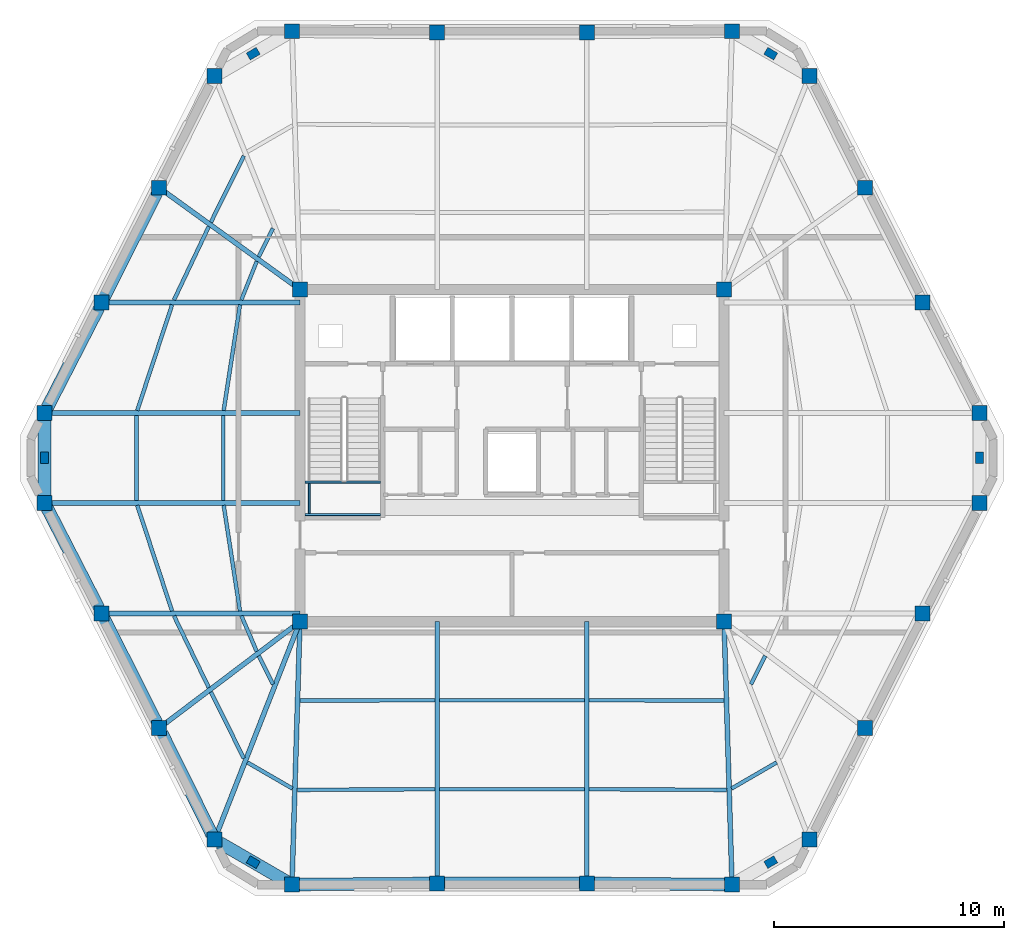
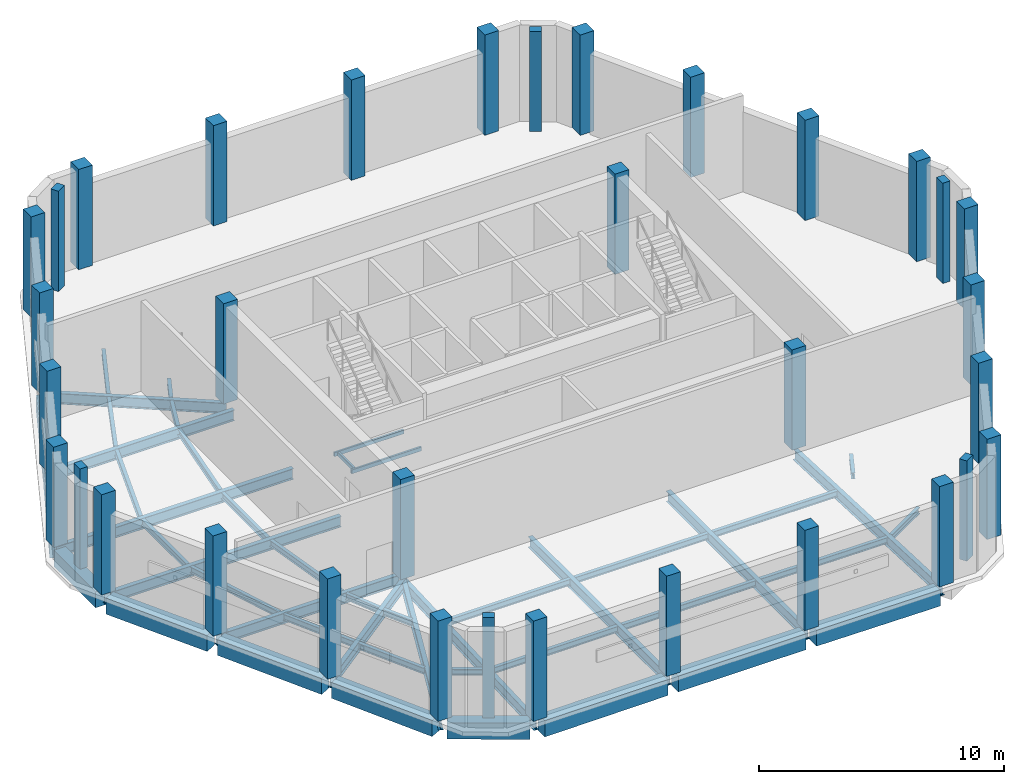
# One storey, part 1 of 8: 47 beams, 34 columns.
"""IFC4 building model written with IfcOpenShell, lengths in metres."""

from ifc_helpers import new_model, si_unit, direction, frame, origin, origin_2d, place, context, subcontext, project, spatial, rectangle, hollow_rectangle, i_section, extrude, material, material_profile, profile_set, type_object, element, save


model = new_model("IFC4")

# Units and contexts
model_context = context("Model", 3, precision=1e-05, world=origin(), true_north=direction((0.0, 1.0)))
body_context = subcontext(model_context, "Body", "Model", "MODEL_VIEW")
ifc_project = project(units=[si_unit("LENGTHUNIT", "METRE"), si_unit("AREAUNIT", "SQUARE_METRE"), si_unit("VOLUMEUNIT", "CUBIC_METRE"), si_unit("PLANEANGLEUNIT", "RADIAN"), si_unit("MASSUNIT", "GRAM", prefix="KILO")], contexts=[model_context])

# Site, building, storey
site_placement = place(None, origin())
site = spatial("IfcSite", under=ifc_project, at=site_placement, CompositionType="ELEMENT")
building_placement = place(site_placement, origin())
building = spatial("IfcBuilding", under=site, at=building_placement, Name="Cinnabar Lancet Tower", CompositionType="ELEMENT")
storey_placement = place(building_placement, frame((0.0, 0.0, 295.5)))
storey = spatial("IfcBuildingStorey", under=building, at=storey_placement, Name="L78", CompositionType="ELEMENT", Elevation=295.5)

# Columns
ifc_material_1 = material(Name="Concrete C50/60", Category="concrete")
ifc_material_profile_1 = material_profile(ifc_material_1, rectangle(XDim=0.64990234375, YDim=0.64990234375, at=origin_2d()), Name="RC-COL 650x650")
ifc_profile_set_1 = profile_set([ifc_material_profile_1], Name="Concrete C50/60")
column_type_1 = type_object("IfcColumnType", Name="STR-COL-CORE-650B", PredefinedType="COLUMN", material=ifc_profile_set_1)
for number, where, z_axis, x_axis, name in (
    (1, (23.175048828125, 18.675048828125, 0.0), (0.0, 0.0, 1.0), (1.0, 0.0, 0.0), "L78 Core Corner Column SW"),
    (2, (41.625, 18.675048828125, 0.0), (0.0, 0.0, 1.0), (1.0, 0.0, 0.0), "L78 Core Corner Column SE"),
    (3, (41.625, 33.125, 0.0), (0.0, 0.0, 1.0), (1.0, 0.0, 0.0), "L78 Core Corner Column NE"),
    (4, (23.175048828125, 33.125, 0.0), (0.0, 0.0, 1.0), (1.0, 0.0, 0.0), "L78 Core Corner Column NW"),
):
    element("IfcColumn", number, at=place(storey_placement, frame(where, z_axis=z_axis, x_axis=x_axis)), inside=storey, type_object=column_type_1, Name=name, PredefinedType="COLUMN", context=body_context, shape_type="SweptSolid", body=[
        extrude(rectangle(XDim=0.64990234375, YDim=0.64990234375, at=origin_2d()), origin(), (0.0, 0.0, 1.0), 5.0),
    ])
ifc_material_2 = material(Name="Concrete C60/75", Category="concrete")
ifc_material_profile_2 = material_profile(ifc_material_2, rectangle(XDim=0.5, YDim=0.35009765625, at=origin_2d()), Name="RC-PIL 500x350")
ifc_profile_set_2 = profile_set([ifc_material_profile_2], Name="Concrete C60/75")
column_type_2 = type_object("IfcColumnType", Name="STR-COL-PIL-500", PredefinedType="PILASTER", material=ifc_profile_set_2)
for number, where, z_axis, x_axis, name in (
    (5, (21.14306640625, 8.215087890625, 0.0), (0.0, 0.0, 1.0), (0.865256437757, -0.501329529272, 0.0), "L78 Chamfered Corner Pilaster 1"),
    (6, (43.656982421875, 8.215087890625, 0.0), (0.0, 0.0, 1.0), (0.865256437757, 0.501329529272, 0.0), "L78 Chamfered Corner Pilaster 2"),
    (7, (52.737060546875, 25.800048828125, 0.0), (0.0, 0.0, 1.0), (0.0, 1.0, 0.0), "L78 Chamfered Corner Pilaster 3"),
    (8, (43.656982421875, 43.385009765625, 0.0), (0.0, 0.0, 1.0), (-0.865256437757, 0.501329529272, 0.0), "L78 Chamfered Corner Pilaster 4"),
    (9, (21.14306640625, 43.385009765625, 0.0), (0.0, 0.0, 1.0), (-0.865256437757, -0.501329529272, 0.0), "L78 Chamfered Corner Pilaster 5"),
    (10, (12.06298828125, 25.800048828125, 0.0), (0.0, 0.0, 1.0), (0.0, -1.0, 0.0), "L78 Chamfered Corner Pilaster 6"),
):
    element("IfcColumn", number, at=place(storey_placement, frame(where, z_axis=z_axis, x_axis=x_axis)), inside=storey, type_object=column_type_2, Name=name, PredefinedType="PILASTER", context=body_context, shape_type="SweptSolid", body=[
        extrude(rectangle(XDim=0.5, YDim=0.35009765625, at=origin_2d()), origin(), (0.0, 0.0, 1.0), 5.0),
    ])
ifc_material_3 = material(Name="Concrete C50/60", Category="concrete")
ifc_material_profile_3 = material_profile(ifc_material_3, rectangle(XDim=0.64990234375, YDim=0.64990234375, at=origin_2d()), Name="RC-COL 650x650")
ifc_profile_set_3 = profile_set([ifc_material_profile_3], Name="Concrete C50/60")
column_type_3 = type_object("IfcColumnType", Name="STR-COL-TUBE-650", PredefinedType="COLUMN", material=ifc_profile_set_3)
for number, where, z_axis, x_axis, name in (
    (11, (22.827880859375, 7.239013671875, 0.0), (0.0, 0.0, 1.0), (1.0, 0.0, 0.0), "L78 Perimeter Tube Column 1"),
    (12, (29.14599609375, 7.2919921875, 0.0), (0.0, 0.0, 1.0), (1.0, 0.0, 0.0), "L78 Perimeter Tube Column 2"),
    (13, (35.654052734375, 7.2919921875, 0.0), (0.0, 0.0, 1.0), (1.0, 0.0, 0.0), "L78 Perimeter Tube Column 3"),
    (14, (41.971923828125, 7.239013671875, 0.0), (0.0, 0.0, 1.0), (1.0, 0.0, 0.0), "L78 Perimeter Tube Column 4"),
    (15, (45.341064453125, 9.19091796875, 0.0), (0.0, 0.0, 1.0), (1.0, 0.0, 0.0), "L78 Perimeter Tube Column 5"),
    (16, (47.7490234375, 14.0458984375, 0.0), (0.0, 0.0, 1.0), (1.0, 0.0, 0.0), "L78 Perimeter Tube Column 6"),
    (17, (50.263916015625, 19.032958984375, 0.0), (0.0, 0.0, 1.0), (1.0, 0.0, 0.0), "L78 Perimeter Tube Column 7"),
    (18, (52.737060546875, 23.844970703125, 0.0), (0.0, 0.0, 1.0), (1.0, 0.0, 0.0), "L78 Perimeter Tube Column 8"),
    (19, (52.737060546875, 27.7548828125, 0.0), (0.0, 0.0, 1.0), (1.0, 0.0, 0.0), "L78 Perimeter Tube Column 9"),
    (20, (50.263916015625, 32.56689453125, 0.0), (0.0, 0.0, 1.0), (1.0, 0.0, 0.0), "L78 Perimeter Tube Column 10"),
    (21, (47.7490234375, 37.553955078125, 0.0), (0.0, 0.0, 1.0), (1.0, 0.0, 0.0), "L78 Perimeter Tube Column 11"),
    (22, (45.341064453125, 42.408935546875, 0.0), (0.0, 0.0, 1.0), (1.0, 0.0, 0.0), "L78 Perimeter Tube Column 12"),
    (23, (41.971923828125, 44.361083984375, 0.0), (0.0, 0.0, 1.0), (1.0, 0.0, 0.0), "L78 Perimeter Tube Column 13"),
    (24, (35.654052734375, 44.30810546875, 0.0), (0.0, 0.0, 1.0), (1.0, 0.0, 0.0), "L78 Perimeter Tube Column 14"),
    (25, (29.14599609375, 44.30810546875, 0.0), (0.0, 0.0, 1.0), (1.0, 0.0, 0.0), "L78 Perimeter Tube Column 15"),
    (26, (22.827880859375, 44.361083984375, 0.0), (0.0, 0.0, 1.0), (1.0, 0.0, 0.0), "L78 Perimeter Tube Column 16"),
    (27, (19.458984375, 42.408935546875, 0.0), (0.0, 0.0, 1.0), (1.0, 0.0, 0.0), "L78 Perimeter Tube Column 17"),
    (28, (17.051025390625, 37.553955078125, 0.0), (0.0, 0.0, 1.0), (1.0, 0.0, 0.0), "L78 Perimeter Tube Column 18"),
    (29, (14.535888671875, 32.56689453125, 0.0), (0.0, 0.0, 1.0), (1.0, 0.0, 0.0), "L78 Perimeter Tube Column 19"),
    (30, (12.06298828125, 27.7548828125, 0.0), (0.0, 0.0, 1.0), (1.0, 0.0, 0.0), "L78 Perimeter Tube Column 20"),
    (31, (12.06298828125, 23.844970703125, 0.0), (0.0, 0.0, 1.0), (1.0, 0.0, 0.0), "L78 Perimeter Tube Column 21"),
    (32, (14.535888671875, 19.032958984375, 0.0), (0.0, 0.0, 1.0), (1.0, 0.0, 0.0), "L78 Perimeter Tube Column 22"),
    (33, (17.051025390625, 14.0458984375, 0.0), (0.0, 0.0, 1.0), (1.0, 0.0, 0.0), "L78 Perimeter Tube Column 23"),
    (34, (19.458984375, 9.19091796875, 0.0), (0.0, 0.0, 1.0), (1.0, 0.0, 0.0), "L78 Perimeter Tube Column 24"),
):
    element("IfcColumn", number, at=place(storey_placement, frame(where, z_axis=z_axis, x_axis=x_axis)), inside=storey, type_object=column_type_3, Name=name, PredefinedType="COLUMN", context=body_context, shape_type="SweptSolid", body=[
        extrude(rectangle(XDim=0.64990234375, YDim=0.64990234375, at=origin_2d()), origin(), (0.0, 0.0, 1.0), 5.0),
    ])

# Beams
ifc_material_4 = material(Name="Structural steel S355", Category="steel")
ifc_material_profile_4 = material_profile(ifc_material_4, i_section(OverallWidth=0.1650390625, OverallDepth=0.303466796875, WebThickness=0.006103515625, FlangeThickness=0.01025390625, FilletRadius=0.0087890625, at=origin_2d()), Name="UKB 305x165x40")
ifc_profile_set_4 = profile_set([ifc_material_profile_4], Name="Structural steel S355")
beam_type_1 = type_object("IfcBeamType", Name="STR-BM-JST-305", PredefinedType="JOIST", material=ifc_profile_set_4)
beam_1_placement = place(storey_placement, frame((16.097900390625, 23.739990234375, -0.35205078125), z_axis=(0.312536616989, -0.949905712711, 0.0), x_axis=(0.949905712711, 0.312536616989, 0.0)))
element("IfcBeam", 35, at=beam_1_placement, inside=storey, type_object=beam_type_1, Name="L78 Secondary Floor Joist 1", PredefinedType="JOIST", context=body_context, shape_type="SweptSolid", body=[
    extrude(i_section(OverallWidth=0.1650390625, OverallDepth=0.303466796875, WebThickness=0.006103515625, FlangeThickness=0.01025390625, FilletRadius=0.0087890625, at=origin_2d()), origin(), (0.0, 0.0, 1.0), 4.8447265625),
])
beam_2_placement = place(storey_placement, frame((19.85791015625, 23.739990234375, -0.35205078125), z_axis=(0.152262059154, -0.988340156698, 0.0), x_axis=(0.988340156698, 0.152262059154, 0.0)))
element("IfcBeam", 36, at=beam_2_placement, inside=storey, type_object=beam_type_1, Name="L78 Secondary Floor Joist 2", PredefinedType="JOIST", context=body_context, shape_type="SweptSolid", body=[
    extrude(i_section(OverallWidth=0.1650390625, OverallDepth=0.303466796875, WebThickness=0.006103515625, FlangeThickness=0.01025390625, FilletRadius=0.0087890625, at=origin_2d()), origin(), (0.0, 0.0, 1.0), 4.65625),
])
beam_3_placement = place(storey_placement, frame((17.697021484375, 18.927978515625, -0.35205078125), z_axis=(0.43610936109, -0.899893674369, 0.0), x_axis=(0.899893674369, 0.43610936109, 0.0)))
element("IfcBeam", 37, at=beam_3_placement, inside=storey, type_object=beam_type_1, Name="L78 Secondary Floor Joist 3", PredefinedType="JOIST", context=body_context, shape_type="SweptSolid", body=[
    extrude(i_section(OverallWidth=0.1650390625, OverallDepth=0.303466796875, WebThickness=0.006103515625, FlangeThickness=0.01025390625, FilletRadius=0.0087890625, at=origin_2d()), origin(), (0.0, 0.0, 1.0), 3.467041015625),
])
beam_4_placement = place(storey_placement, frame((20.62890625, 18.927978515625, -0.35205078125), z_axis=(0.396302440144, -0.91812002262, 0.0), x_axis=(0.91812002262, 0.396302440144, 0.0)))
element("IfcBeam", 38, at=beam_4_placement, inside=storey, type_object=beam_type_1, Name="L78 Secondary Floor Joist 4", PredefinedType="JOIST", context=body_context, shape_type="SweptSolid", body=[
    extrude(i_section(OverallWidth=0.1650390625, OverallDepth=0.303466796875, WebThickness=0.006103515625, FlangeThickness=0.01025390625, FilletRadius=0.0087890625, at=origin_2d()), origin(), (0.0, 0.0, 1.0), 1.6806640625),
])
beam_5_placement = place(storey_placement, frame((19.302978515625, 15.616943359375, -0.35205078125), z_axis=(0.444330443712, -0.895862967641, 0.0), x_axis=(0.895862967641, 0.444330443712, 0.0)))
element("IfcBeam", 39, at=beam_5_placement, inside=storey, type_object=beam_type_1, Name="L78 Secondary Floor Joist 5", PredefinedType="JOIST", context=body_context, shape_type="SweptSolid", body=[
    extrude(i_section(OverallWidth=0.1650390625, OverallDepth=0.303466796875, WebThickness=0.006103515625, FlangeThickness=0.01025390625, FilletRadius=0.0087890625, at=origin_2d()), origin(), (0.0, 0.0, 1.0), 3.220458984375),
])
beam_6_placement = place(storey_placement, frame((21.385009765625, 17.19091796875, -0.35205078125), z_axis=(0.444093192127, -0.89598060063, 0.0), x_axis=(0.89598060063, 0.444093192127, 0.0)))
element("IfcBeam", 40, at=beam_6_placement, inside=storey, type_object=beam_type_1, Name="L78 Secondary Floor Joist 6", PredefinedType="JOIST", context=body_context, shape_type="SweptSolid", body=[
    extrude(i_section(OverallWidth=0.1650390625, OverallDepth=0.303466796875, WebThickness=0.006103515625, FlangeThickness=0.01025390625, FilletRadius=0.0087890625, at=origin_2d()), origin(), (0.0, 0.0, 1.0), 1.378173828125),
])
beam_7_placement = place(storey_placement, frame((20.887939453125, 12.552001953125, -0.35205078125), z_axis=(0.865426285481, -0.501036270542, 0.0), x_axis=(0.501036270542, 0.865426285481, 0.0)))
element("IfcBeam", 41, at=beam_7_placement, inside=storey, type_object=beam_type_1, Name="L78 Secondary Floor Joist 7", PredefinedType="JOIST", context=body_context, shape_type="SweptSolid", body=[
    extrude(i_section(OverallWidth=0.1650390625, OverallDepth=0.303466796875, WebThickness=0.006103515625, FlangeThickness=0.01025390625, FilletRadius=0.0087890625, at=origin_2d()), origin(), (0.0, 0.0, 1.0), 2.267333984375),
])
beam_8_placement = place(storey_placement, frame((23.05810546875, 11.35693359375, -0.35205078125), z_axis=(0.999985712428, 0.005345553266, 0.0), x_axis=(-0.005345553266, 0.999985712428, 0.0)))
element("IfcBeam", 42, at=beam_8_placement, inside=storey, type_object=beam_type_1, Name="L78 Secondary Floor Joist 8", PredefinedType="JOIST", context=body_context, shape_type="SweptSolid", body=[
    extrude(i_section(OverallWidth=0.1650390625, OverallDepth=0.303466796875, WebThickness=0.006103515625, FlangeThickness=0.01025390625, FilletRadius=0.0087890625, at=origin_2d()), origin(), (0.0, 0.0, 1.0), 5.98291015625),
])
beam_9_placement = place(storey_placement, frame((23.176025390625, 15.243896484375, -0.35205078125), z_axis=(0.999996226008, 0.002747356738, 0.0), x_axis=(-0.002747356738, 0.999996226008, 0.0)))
element("IfcBeam", 43, at=beam_9_placement, inside=storey, type_object=beam_type_1, Name="L78 Secondary Floor Joist 9", PredefinedType="JOIST", context=body_context, shape_type="SweptSolid", body=[
    extrude(i_section(OverallWidth=0.1650390625, OverallDepth=0.303466796875, WebThickness=0.006103515625, FlangeThickness=0.01025390625, FilletRadius=0.0087890625, at=origin_2d()), origin(), (0.0, 0.0, 1.0), 5.864990234375),
])
for number, where, z_axis, x_axis, name in (
    (44, (29.2509765625, 11.389892578125, -0.35205078125), (1.0, 0.0, 0.0), (0.0, 1.0, 0.0), "L78 Secondary Floor Joist 10"),
    (45, (29.2509765625, 15.260009765625, -0.35205078125), (1.0, 0.0, 0.0), (0.0, 1.0, 0.0), "L78 Secondary Floor Joist 11"),
):
    element("IfcBeam", number, at=place(storey_placement, frame(where, z_axis=z_axis, x_axis=x_axis)), inside=storey, type_object=beam_type_1, Name=name, PredefinedType="JOIST", context=body_context, shape_type="SweptSolid", body=[
        extrude(i_section(OverallWidth=0.1650390625, OverallDepth=0.303466796875, WebThickness=0.006103515625, FlangeThickness=0.01025390625, FilletRadius=0.0087890625, at=origin_2d()), origin(), (0.0, 0.0, 1.0), 6.298095703125),
    ])
beam_10_placement = place(storey_placement, frame((35.759033203125, 11.388916015625, -0.35205078125), z_axis=(0.999985712428, -0.005345553266, 0.0), x_axis=(0.005345553266, 0.999985712428, 0.0)))
element("IfcBeam", 46, at=beam_10_placement, inside=storey, type_object=beam_type_1, Name="L78 Secondary Floor Joist 12", PredefinedType="JOIST", context=body_context, shape_type="SweptSolid", body=[
    extrude(i_section(OverallWidth=0.1650390625, OverallDepth=0.303466796875, WebThickness=0.006103515625, FlangeThickness=0.01025390625, FilletRadius=0.0087890625, at=origin_2d()), origin(), (0.0, 0.0, 1.0), 5.98291015625),
])
beam_11_placement = place(storey_placement, frame((35.759033203125, 15.260009765625, -0.35205078125), z_axis=(0.999996226008, -0.002747356738, 0.0), x_axis=(0.002747356738, 0.999996226008, 0.0)))
element("IfcBeam", 47, at=beam_11_placement, inside=storey, type_object=beam_type_1, Name="L78 Secondary Floor Joist 13", PredefinedType="JOIST", context=body_context, shape_type="SweptSolid", body=[
    extrude(i_section(OverallWidth=0.1650390625, OverallDepth=0.303466796875, WebThickness=0.006103515625, FlangeThickness=0.01025390625, FilletRadius=0.0087890625, at=origin_2d()), origin(), (0.0, 0.0, 1.0), 5.864990234375),
])
beam_12_placement = place(storey_placement, frame((41.949951171875, 11.416015625, -0.35205078125), z_axis=(0.865426285481, 0.501036270542, 0.0), x_axis=(-0.501036270542, 0.865426285481, 0.0)))
element("IfcBeam", 48, at=beam_12_placement, inside=storey, type_object=beam_type_1, Name="L78 Secondary Floor Joist 14", PredefinedType="JOIST", context=body_context, shape_type="SweptSolid", body=[
    extrude(i_section(OverallWidth=0.1650390625, OverallDepth=0.303466796875, WebThickness=0.006103515625, FlangeThickness=0.01025390625, FilletRadius=0.0087890625, at=origin_2d()), origin(), (0.0, 0.0, 1.0), 2.267333984375),
])
beam_13_placement = place(storey_placement, frame((42.802978515625, 15.9560546875, -0.35205078125), z_axis=(0.444093192127, 0.89598060063, 0.0), x_axis=(-0.89598060063, 0.444093192127, 0.0)))
element("IfcBeam", 49, at=beam_13_placement, inside=storey, type_object=beam_type_1, Name="L78 Secondary Floor Joist 16", PredefinedType="JOIST", context=body_context, shape_type="SweptSolid", body=[
    extrude(i_section(OverallWidth=0.1650390625, OverallDepth=0.303466796875, WebThickness=0.006103515625, FlangeThickness=0.01025390625, FilletRadius=0.0087890625, at=origin_2d()), origin(), (0.0, 0.0, 1.0), 1.378173828125),
])
beam_14_placement = place(storey_placement, frame((20.73388671875, 38.94091796875, -0.35205078125), z_axis=(-0.444209762814, -0.89592281287, 0.0), x_axis=(0.89592281287, -0.444209762814, 0.0)))
element("IfcBeam", 50, at=beam_14_placement, inside=storey, type_object=beam_type_1, Name="L78 Secondary Floor Joist 37", PredefinedType="JOIST", context=body_context, shape_type="SweptSolid", body=[
    extrude(i_section(OverallWidth=0.1650390625, OverallDepth=0.303466796875, WebThickness=0.006103515625, FlangeThickness=0.01025390625, FilletRadius=0.0087890625, at=origin_2d()), origin(), (0.0, 0.0, 1.0), 3.22119140625),
])
beam_15_placement = place(storey_placement, frame((21.998046875, 35.783935546875, -0.35205078125), z_axis=(-0.444661746427, -0.895698571655, 0.0), x_axis=(0.895698571655, -0.444661746427, 0.0)))
element("IfcBeam", 51, at=beam_15_placement, inside=storey, type_object=beam_type_1, Name="L78 Secondary Floor Joist 38", PredefinedType="JOIST", context=body_context, shape_type="SweptSolid", body=[
    extrude(i_section(OverallWidth=0.1650390625, OverallDepth=0.303466796875, WebThickness=0.006103515625, FlangeThickness=0.01025390625, FilletRadius=0.0087890625, at=origin_2d()), origin(), (0.0, 0.0, 1.0), 1.378662109375),
])
beam_16_placement = place(storey_placement, frame((19.2099609375, 35.863037109375, -0.35205078125), z_axis=(-0.428647868514, -0.903471640296, 0.0), x_axis=(0.903471640296, -0.428647868514, 0.0)))
element("IfcBeam", 52, at=beam_16_placement, inside=storey, type_object=beam_type_1, Name="L78 Secondary Floor Joist 39", PredefinedType="JOIST", context=body_context, shape_type="SweptSolid", body=[
    extrude(i_section(OverallWidth=0.1650390625, OverallDepth=0.303466796875, WebThickness=0.006103515625, FlangeThickness=0.01025390625, FilletRadius=0.0087890625, at=origin_2d()), origin(), (0.0, 0.0, 1.0), 3.53173828125),
])
beam_17_placement = place(storey_placement, frame((21.298095703125, 34.35400390625, -0.35205078125), z_axis=(-0.37155332079, -0.928411616585, 0.0), x_axis=(0.928411616585, -0.37155332079, 0.0)))
element("IfcBeam", 53, at=beam_17_placement, inside=storey, type_object=beam_type_1, Name="L78 Secondary Floor Joist 40", PredefinedType="JOIST", context=body_context, shape_type="SweptSolid", body=[
    extrude(i_section(OverallWidth=0.1650390625, OverallDepth=0.303466796875, WebThickness=0.006103515625, FlangeThickness=0.01025390625, FilletRadius=0.0087890625, at=origin_2d()), origin(), (0.0, 0.0, 1.0), 1.8115234375),
])
beam_18_placement = place(storey_placement, frame((17.612060546875, 32.4619140625, -0.35205078125), z_axis=(-0.312551578319, -0.949900790025, 0.0), x_axis=(0.949900790025, -0.312551578319, 0.0)))
element("IfcBeam", 54, at=beam_18_placement, inside=storey, type_object=beam_type_1, Name="L78 Secondary Floor Joist 41", PredefinedType="JOIST", context=body_context, shape_type="SweptSolid", body=[
    extrude(i_section(OverallWidth=0.1650390625, OverallDepth=0.303466796875, WebThickness=0.006103515625, FlangeThickness=0.01025390625, FilletRadius=0.0087890625, at=origin_2d()), origin(), (0.0, 0.0, 1.0), 4.844482421875),
])
beam_19_placement = place(storey_placement, frame((20.56689453125, 32.4619140625, -0.35205078125), z_axis=(-0.152269949853, -0.988338941038, 0.0), x_axis=(0.988338941038, -0.152269949853, 0.0)))
element("IfcBeam", 55, at=beam_19_placement, inside=storey, type_object=beam_type_1, Name="L78 Secondary Floor Joist 42", PredefinedType="JOIST", context=body_context, shape_type="SweptSolid", body=[
    extrude(i_section(OverallWidth=0.1650390625, OverallDepth=0.303466796875, WebThickness=0.006103515625, FlangeThickness=0.01025390625, FilletRadius=0.0087890625, at=origin_2d()), origin(), (0.0, 0.0, 1.0), 4.656005859375),
])
for number, where, z_axis, x_axis, name in (
    (56, (16.06298828125, 27.64990234375, -0.35205078125), (0.0, -1.0, 0.0), (1.0, 0.0, 0.0), "L78 Secondary Floor Joist 43"),
    (57, (19.841064453125, 27.64990234375, -0.35205078125), (0.0, -1.0, 0.0), (1.0, 0.0, 0.0), "L78 Secondary Floor Joist 44"),
):
    element("IfcBeam", number, at=place(storey_placement, frame(where, z_axis=z_axis, x_axis=x_axis)), inside=storey, type_object=beam_type_1, Name=name, PredefinedType="JOIST", context=body_context, shape_type="SweptSolid", body=[
        extrude(i_section(OverallWidth=0.1650390625, OverallDepth=0.303466796875, WebThickness=0.006103515625, FlangeThickness=0.01025390625, FilletRadius=0.0087890625, at=origin_2d()), origin(), (0.0, 0.0, 1.0), 3.699951171875),
    ])
ifc_material_5 = material(Name="Structural steel S355", Category="steel")
ifc_material_profile_5 = material_profile(ifc_material_5, hollow_rectangle(XDim=0.10009765625, YDim=0.199951171875, WallThickness=0.008056640625, InnerFilletRadius=0.00390625, OuterFilletRadius=0.011962890625, at=origin_2d()), Name="RHS 200x100x8")
ifc_profile_set_5 = profile_set([ifc_material_profile_5], Name="Structural steel S355")
beam_type_2 = type_object("IfcBeamType", Name="STR-BM-LND-203", PredefinedType="BEAM", material=ifc_profile_set_5)
for number, where, z_axis, x_axis, name in (
    (58, (23.39990234375, 23.330078125, 2.199951171875), (1.0, 0.0, 0.0), (0.0, 1.0, 0.0), "L78 ST-1-L78 Landing Support Beam S"),
    (59, (23.39990234375, 24.7451171875, 2.199951171875), (1.0, 0.0, 0.0), (0.0, 1.0, 0.0), "L78 ST-1-L78 Landing Support Beam N"),
):
    element("IfcBeam", number, at=place(storey_placement, frame(where, z_axis=z_axis, x_axis=x_axis)), inside=storey, type_object=beam_type_2, Name=name, PredefinedType="BEAM", context=body_context, shape_type="SweptSolid", body=[
        extrude(hollow_rectangle(XDim=0.10009765625, YDim=0.199951171875, WallThickness=0.008056640625, InnerFilletRadius=0.00390625, OuterFilletRadius=0.011962890625, at=origin_2d()), origin(), (0.0, 0.0, 1.0), 3.280029296875),
    ])
beam_20_placement = place(storey_placement, frame((23.580078125, 23.3798828125, 2.199951171875), z_axis=(0.0, 1.0, 0.0), x_axis=(-1.0, 0.0, 0.0)))
element("IfcBeam", 60, at=beam_20_placement, inside=storey, type_object=beam_type_2, Name="L78 ST-1-L78 Landing Side Trimmer Beam", PredefinedType="BEAM", context=body_context, shape_type="SweptSolid", body=[
    extrude(hollow_rectangle(XDim=0.10009765625, YDim=0.199951171875, WallThickness=0.008056640625, InnerFilletRadius=0.00390625, OuterFilletRadius=0.011962890625, at=origin_2d()), origin(), (0.0, 0.0, 1.0), 1.315185546875),
])
ifc_material_6 = material(Name="Concrete C50/60", Category="concrete")
ifc_material_profile_6 = material_profile(ifc_material_6, rectangle(XDim=0.550048828125, YDim=0.800048828125, at=origin_2d()), Name="RC-SB 550x800")
ifc_profile_set_6 = profile_set([ifc_material_profile_6], Name="Concrete C50/60")
beam_type_3 = type_object("IfcBeamType", Name="STR-BM-RCSB-800", PredefinedType="SPANDREL", material=ifc_profile_set_6)
beam_21_placement = place(storey_placement, frame((23.077880859375, 7.240966796875, -0.60009765625), z_axis=(0.999964432412, 0.008434092187, 0.0), x_axis=(-0.008434092187, 0.999964432412, 0.0)))
element("IfcBeam", 61, at=beam_21_placement, inside=storey, type_object=beam_type_3, Name="L78 Perimeter Spandrel 1", PredefinedType="SPANDREL", context=body_context, shape_type="SweptSolid", body=[
    extrude(rectangle(XDim=0.550048828125, YDim=0.800048828125, at=origin_2d()), origin(), (0.0, 0.0, 1.0), 5.818359375),
])
beam_22_placement = place(storey_placement, frame((29.39599609375, 7.2919921875, -0.60009765625), z_axis=(1.0, 0.0, 0.0), x_axis=(0.0, 1.0, 0.0)))
element("IfcBeam", 62, at=beam_22_placement, inside=storey, type_object=beam_type_3, Name="L78 Perimeter Spandrel 2", PredefinedType="SPANDREL", context=body_context, shape_type="SweptSolid", body=[
    extrude(rectangle(XDim=0.550048828125, YDim=0.800048828125, at=origin_2d()), origin(), (0.0, 0.0, 1.0), 6.008056640625),
])
beam_23_placement = place(storey_placement, frame((35.904052734375, 7.2900390625, -0.60009765625), z_axis=(0.999964429427, -0.00843444609, 0.0), x_axis=(0.00843444609, 0.999964429427, 0.0)))
element("IfcBeam", 63, at=beam_23_placement, inside=storey, type_object=beam_type_3, Name="L78 Perimeter Spandrel 3", PredefinedType="SPANDREL", context=body_context, shape_type="SweptSolid", body=[
    extrude(rectangle(XDim=0.550048828125, YDim=0.800048828125, at=origin_2d()), origin(), (0.0, 0.0, 1.0), 5.818115234375),
])
beam_24_placement = place(storey_placement, frame((16.93798828125, 37.3310546875, -0.60009765625), z_axis=(-0.450130146726, -0.892962961722, 0.0), x_axis=(0.892962961722, -0.450130146726, 0.0)))
element("IfcBeam", 64, at=beam_24_placement, inside=storey, type_object=beam_type_3, Name="L78 Perimeter Spandrel 18", PredefinedType="SPANDREL", context=body_context, shape_type="SweptSolid", body=[
    extrude(rectangle(XDim=0.550048828125, YDim=0.800048828125, at=origin_2d()), origin(), (0.0, 0.0, 1.0), 5.08544921875),
])
beam_25_placement = place(storey_placement, frame((14.422119140625, 32.344970703125, -0.60009765625), z_axis=(-0.457148063427, -0.889390604912, 0.0), x_axis=(0.889390604912, -0.457148063427, 0.0)))
element("IfcBeam", 65, at=beam_25_placement, inside=storey, type_object=beam_type_3, Name="L78 Perimeter Spandrel 19", PredefinedType="SPANDREL", context=body_context, shape_type="SweptSolid", body=[
    extrude(rectangle(XDim=0.550048828125, YDim=0.800048828125, at=origin_2d()), origin(), (0.0, 0.0, 1.0), 4.9111328125),
])
beam_26_placement = place(storey_placement, frame((12.06298828125, 27.5048828125, -0.60009765625), z_axis=(0.0, -1.0, 0.0), x_axis=(1.0, 0.0, 0.0)))
element("IfcBeam", 66, at=beam_26_placement, inside=storey, type_object=beam_type_3, Name="L78 Perimeter Spandrel 20", PredefinedType="SPANDREL", context=body_context, shape_type="SweptSolid", body=[
    extrude(rectangle(XDim=0.550048828125, YDim=0.800048828125, at=origin_2d()), origin(), (0.0, 0.0, 1.0), 3.409912109375),
])
beam_27_placement = place(storey_placement, frame((12.177001953125, 23.623046875, -0.60009765625), z_axis=(0.457127852293, -0.889400993174, 0.0), x_axis=(0.889400993174, 0.457127852293, 0.0)))
element("IfcBeam", 67, at=beam_27_placement, inside=storey, type_object=beam_type_3, Name="L78 Perimeter Spandrel 21", PredefinedType="SPANDREL", context=body_context, shape_type="SweptSolid", body=[
    extrude(rectangle(XDim=0.550048828125, YDim=0.800048828125, at=origin_2d()), origin(), (0.0, 0.0, 1.0), 4.911376953125),
])
beam_28_placement = place(storey_placement, frame((14.64892578125, 18.81005859375, -0.60009765625), z_axis=(0.450130146726, -0.892962961722, 0.0), x_axis=(0.892962961722, 0.450130146726, 0.0)))
element("IfcBeam", 68, at=beam_28_placement, inside=storey, type_object=beam_type_3, Name="L78 Perimeter Spandrel 22", PredefinedType="SPANDREL", context=body_context, shape_type="SweptSolid", body=[
    extrude(rectangle(XDim=0.550048828125, YDim=0.800048828125, at=origin_2d()), origin(), (0.0, 0.0, 1.0), 5.08544921875),
])
beam_29_placement = place(storey_placement, frame((17.162109375, 13.822021484375, -0.60009765625), z_axis=(0.44433276947, -0.895861814107, 0.0), x_axis=(0.895861814107, 0.44433276947, 0.0)))
element("IfcBeam", 69, at=beam_29_placement, inside=storey, type_object=beam_type_3, Name="L78 Perimeter Spandrel 23", PredefinedType="SPANDREL", context=body_context, shape_type="SweptSolid", body=[
    extrude(rectangle(XDim=0.550048828125, YDim=0.800048828125, at=origin_2d()), origin(), (0.0, 0.0, 1.0), 4.919189453125),
])
beam_30_placement = place(storey_placement, frame((19.675048828125, 9.06591796875, -0.60009765625), z_axis=(0.865230894194, -0.50137361292, 0.0), x_axis=(0.50137361292, 0.865230894194, 0.0)))
element("IfcBeam", 70, at=beam_30_placement, inside=storey, type_object=beam_type_3, Name="L78 Perimeter Spandrel 24", PredefinedType="SPANDREL", context=body_context, shape_type="SweptSolid", body=[
    extrude(rectangle(XDim=0.550048828125, YDim=0.800048828125, at=origin_2d()), origin(), (0.0, 0.0, 1.0), 3.39453125),
])
ifc_material_7 = material(Name="Structural steel S355", Category="steel")
ifc_material_profile_7 = material_profile(ifc_material_7, i_section(OverallWidth=0.209228515625, OverallDepth=0.533203125, WebThickness=0.010009765625, FlangeThickness=0.015625, FilletRadius=0.0126953125, at=origin_2d()), Name="UKB 533x210x92")
ifc_profile_set_7 = profile_set([ifc_material_profile_7], Name="Structural steel S355")
beam_type_4 = type_object("IfcBeamType", Name="STR-BM-UKB533-92", PredefinedType="BEAM", material=ifc_profile_set_7)
beam_31_placement = place(storey_placement, frame((17.051025390625, 14.0458984375, -0.467041015625), z_axis=(0.797735075719, 0.603008083667, 0.0), x_axis=(-0.603008083667, 0.797735075719, 0.0)))
element("IfcBeam", 71, at=beam_31_placement, inside=storey, type_object=beam_type_4, Name="L78 Corner Collector Girder 1", PredefinedType="BEAM", context=body_context, shape_type="SweptSolid", body=[
    extrude(i_section(OverallWidth=0.209228515625, OverallDepth=0.533203125, WebThickness=0.010009765625, FlangeThickness=0.015625, FilletRadius=0.0126953125, at=origin_2d()), origin(), (0.0, 0.0, 1.0), 7.6767578125),
])
beam_32_placement = place(storey_placement, frame((17.051025390625, 37.553955078125, -0.467041015625), z_axis=(0.810299148474, -0.586016458797, 0.0), x_axis=(0.586016458797, 0.810299148474, 0.0)))
element("IfcBeam", 72, at=beam_32_placement, inside=storey, type_object=beam_type_4, Name="L78 Corner Collector Girder 4", PredefinedType="BEAM", context=body_context, shape_type="SweptSolid", body=[
    extrude(i_section(OverallWidth=0.209228515625, OverallDepth=0.533203125, WebThickness=0.010009765625, FlangeThickness=0.015625, FilletRadius=0.0126953125, at=origin_2d()), origin(), (0.0, 0.0, 1.0), 7.5576171875),
])
beam_33_placement = place(storey_placement, frame((22.827880859375, 7.239013671875, -0.467041015625), z_axis=(0.030343393029, 0.999539533235, 0.0), x_axis=(-0.999539533235, 0.030343393029, 0.0)))
element("IfcBeam", 73, at=beam_33_placement, inside=storey, type_object=beam_type_4, Name="L78 Primary Floor Girder 1", PredefinedType="BEAM", context=body_context, shape_type="SweptSolid", body=[
    extrude(i_section(OverallWidth=0.209228515625, OverallDepth=0.533203125, WebThickness=0.010009765625, FlangeThickness=0.015625, FilletRadius=0.0126953125, at=origin_2d()), origin(), (0.0, 0.0, 1.0), 11.44140625),
])
for number, where, z_axis, x_axis, name in (
    (74, (29.14599609375, 7.2919921875, -0.467041015625), (0.0, 1.0, 0.0), (-1.0, 0.0, 0.0), "L78 Primary Floor Girder 2"),
    (75, (35.654052734375, 7.2919921875, -0.467041015625), (0.0, 1.0, 0.0), (-1.0, 0.0, 0.0), "L78 Primary Floor Girder 3"),
):
    element("IfcBeam", number, at=place(storey_placement, frame(where, z_axis=z_axis, x_axis=x_axis)), inside=storey, type_object=beam_type_4, Name=name, PredefinedType="BEAM", context=body_context, shape_type="SweptSolid", body=[
        extrude(i_section(OverallWidth=0.209228515625, OverallDepth=0.533203125, WebThickness=0.010009765625, FlangeThickness=0.015625, FilletRadius=0.0126953125, at=origin_2d()), origin(), (0.0, 0.0, 1.0), 11.383056640625),
    ])
beam_34_placement = place(storey_placement, frame((41.971923828125, 7.239013671875, -0.467041015625), z_axis=(-0.030322074123, 0.999540180193, 0.0), x_axis=(-0.999540180193, -0.030322074123, 0.0)))
element("IfcBeam", 76, at=beam_34_placement, inside=storey, type_object=beam_type_4, Name="L78 Primary Floor Girder 4", PredefinedType="BEAM", context=body_context, shape_type="SweptSolid", body=[
    extrude(i_section(OverallWidth=0.209228515625, OverallDepth=0.533203125, WebThickness=0.010009765625, FlangeThickness=0.015625, FilletRadius=0.0126953125, at=origin_2d()), origin(), (0.0, 0.0, 1.0), 11.44140625),
])
beam_35_placement = place(storey_placement, frame((14.535888671875, 32.56689453125, -0.467041015625), z_axis=(1.0, 0.0, 0.0), x_axis=(0.0, 1.0, 0.0)))
element("IfcBeam", 77, at=beam_35_placement, inside=storey, type_object=beam_type_4, Name="L78 Primary Floor Girder 19", PredefinedType="BEAM", context=body_context, shape_type="SweptSolid", body=[
    extrude(i_section(OverallWidth=0.209228515625, OverallDepth=0.533203125, WebThickness=0.010009765625, FlangeThickness=0.015625, FilletRadius=0.0126953125, at=origin_2d()), origin(), (0.0, 0.0, 1.0), 8.63916015625),
])
for number, where, z_axis, x_axis, name in (
    (78, (12.06298828125, 27.7548828125, -0.467041015625), (1.0, 0.0, 0.0), (0.0, 1.0, 0.0), "L78 Primary Floor Girder 20"),
    (79, (12.06298828125, 23.844970703125, -0.467041015625), (1.0, 0.0, 0.0), (0.0, 1.0, 0.0), "L78 Primary Floor Girder 21"),
):
    element("IfcBeam", number, at=place(storey_placement, frame(where, z_axis=z_axis, x_axis=x_axis)), inside=storey, type_object=beam_type_4, Name=name, PredefinedType="BEAM", context=body_context, shape_type="SweptSolid", body=[
        extrude(i_section(OverallWidth=0.209228515625, OverallDepth=0.533203125, WebThickness=0.010009765625, FlangeThickness=0.015625, FilletRadius=0.0126953125, at=origin_2d()), origin(), (0.0, 0.0, 1.0), 11.112060546875),
    ])
beam_36_placement = place(storey_placement, frame((14.535888671875, 19.032958984375, -0.467041015625), z_axis=(1.0, 0.0, 0.0), x_axis=(0.0, 1.0, 0.0)))
element("IfcBeam", 80, at=beam_36_placement, inside=storey, type_object=beam_type_4, Name="L78 Primary Floor Girder 22", PredefinedType="BEAM", context=body_context, shape_type="SweptSolid", body=[
    extrude(i_section(OverallWidth=0.209228515625, OverallDepth=0.533203125, WebThickness=0.010009765625, FlangeThickness=0.015625, FilletRadius=0.0126953125, at=origin_2d()), origin(), (0.0, 0.0, 1.0), 8.63916015625),
])
beam_37_placement = place(storey_placement, frame((19.458984375, 9.19091796875, -0.467041015625), z_axis=(0.364815017375, 0.931080019707, 0.0), x_axis=(-0.931080019707, 0.364815017375, 0.0)))
element("IfcBeam", 81, at=beam_37_placement, inside=storey, type_object=beam_type_4, Name="L78 Primary Floor Girder 24", PredefinedType="BEAM", context=body_context, shape_type="SweptSolid", body=[
    extrude(i_section(OverallWidth=0.209228515625, OverallDepth=0.533203125, WebThickness=0.010009765625, FlangeThickness=0.015625, FilletRadius=0.0126953125, at=origin_2d()), origin(), (0.0, 0.0, 1.0), 10.186279296875),
])

save(model, "model.ifc")
